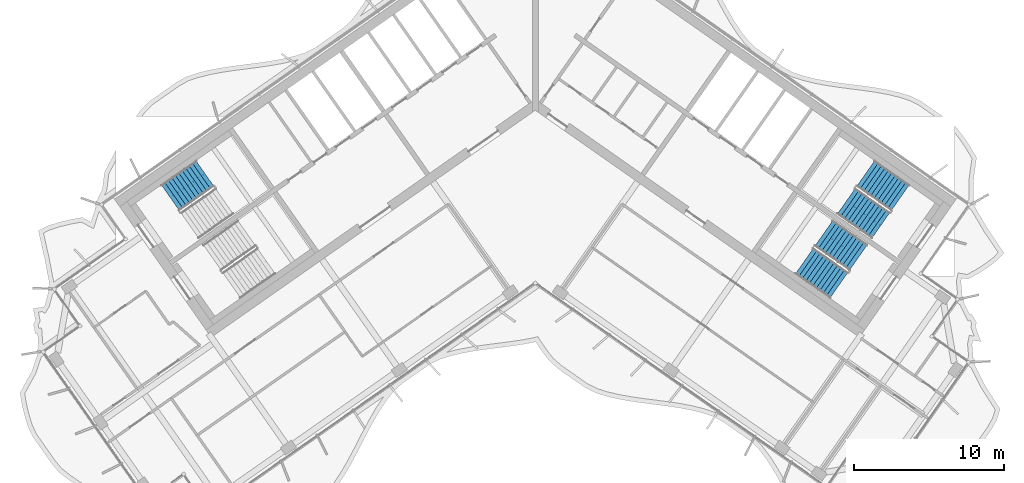
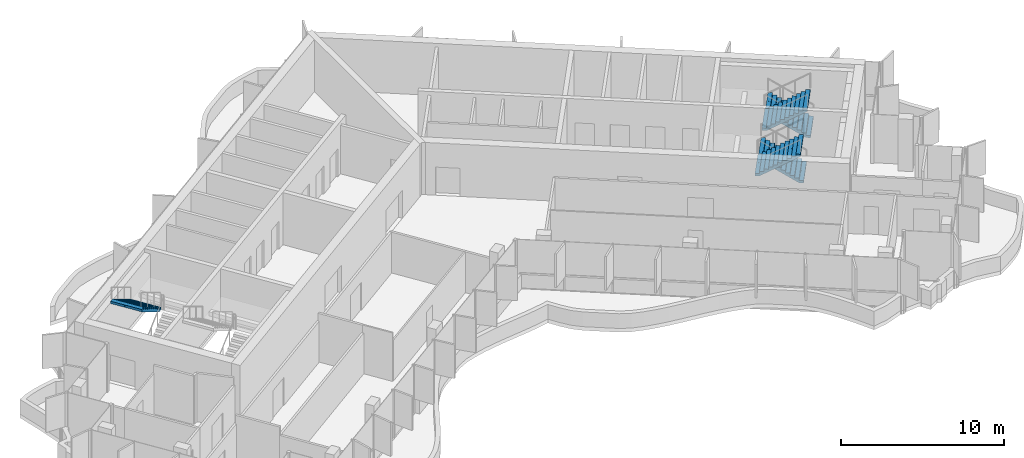
# One storey, part 12 of 17: 5 stair flights, 3 elements without a shape of their own.
"""IFC4 building model written with IfcOpenShell, lengths in metres."""

from ifc_helpers import new_model, si_unit, direction, frame, origin, place, context, subcontext, project, spatial, polyline, outline, extrude, material, type_object, element, aggregate, save


model = new_model("IFC4")

# Units and contexts
model_context = context("Model", 3, precision=1e-05, world=origin(), true_north=direction((0.0, 1.0)))
body_context = subcontext(model_context, "Body", "Model", "MODEL_VIEW")
ifc_project = project(units=[si_unit("LENGTHUNIT", "METRE"), si_unit("AREAUNIT", "SQUARE_METRE"), si_unit("VOLUMEUNIT", "CUBIC_METRE"), si_unit("PLANEANGLEUNIT", "RADIAN"), si_unit("MASSUNIT", "GRAM", prefix="KILO")], contexts=[model_context])

# Site, building, storey
site_placement = place(None, origin())
site = spatial("IfcSite", under=ifc_project, at=site_placement, CompositionType="ELEMENT")
building_placement = place(site_placement, origin())
building = spatial("IfcBuilding", under=site, at=building_placement, Name="Tel Ilan Convention Tower", CompositionType="ELEMENT")
storey_placement = place(building_placement, frame((0.0, 0.0, 287.800048828125)))
storey = spatial("IfcBuildingStorey", under=building, at=storey_placement, Name="L68", CompositionType="ELEMENT", Elevation=287.800048828125)

# Stair, stair flight
ifc_material_1 = material(Name="Concrete C40/50", Category="concrete")
stair_type = type_object("IfcStairType", Name="Pressurised Exit Stair 22 risers 177 mm", PredefinedType="HALF_TURN_STAIR", material=ifc_material_1)
stair_1_placement = place(storey_placement, origin())
stair_1 = element("IfcStair", 1, at=stair_1_placement, inside=storey, type_object=stair_type, Name="L68 Pressurised Stair S1", PredefinedType="HALF_TURN_STAIR")
ifc_material_2 = material(Name="Precast Concrete C40/50", Category="concrete")
stair_flight_type = type_object("IfcStairFlightType", Name="Concrete Stair Flight 2100 mm 22 risers 177 mm", PredefinedType="STRAIGHT", material=ifc_material_2)
stair_flight_1_placement = place(storey_placement, frame((-21.958740234375, -5.42626953125, 1.949951171875), z_axis=(0.0, 0.0, 1.0), x_axis=(-0.819152044289, -0.573576436351, 0.0)))
stair_flight_1 = element("IfcStairFlight", 2, at=stair_flight_1_placement, type_object=stair_flight_type, Name="S1 flight 2", NumberOfRisers=11, NumberOfTreads=10, PredefinedType="STRAIGHT", RiserHeight=0.177272727, TreadLength=0.28, context=body_context, shape_type="SweptSolid", body=[
    extrude(outline(polyline([(0.0, 0.0), (0.0, 0.17724609375), (0.280029296875, 0.17724609375), (0.280029296875, 0.3544921875), (0.56005859375, 0.3544921875), (0.56005859375, 0.53173828125), (0.840087890625, 0.53173828125), (0.840087890625, 0.708984375), (1.1201171875, 0.708984375), (1.1201171875, 0.886474609375), (1.39990234375, 0.886474609375), (1.39990234375, 1.063720703125), (1.679931640625, 1.063720703125), (1.679931640625, 1.240966796875), (1.9599609375, 1.240966796875), (1.9599609375, 1.418212890625), (2.239990234375, 1.418212890625), (2.239990234375, 1.595458984375), (2.52001953125, 1.595458984375), (2.52001953125, 1.772705078125), (2.800048828125, 1.772705078125), (2.800048828125, 1.949951171875), (2.800048828125, 1.59521484375), (0.2802734375, 0.0), (0.0, 0.0)])), frame((0.0, -0.100341796875, 0.0), z_axis=(0.0, -1.0, 0.0), x_axis=(1.0, 0.0, 0.0)), (0.0, 0.0, 1.0), 0.94970703125),
    extrude(outline(polyline([(0.0, 0.0), (0.0, 0.17724609375), (0.280029296875, 0.17724609375), (0.280029296875, 0.3544921875), (0.56005859375, 0.3544921875), (0.56005859375, 0.53173828125), (0.840087890625, 0.53173828125), (0.840087890625, 0.708984375), (1.1201171875, 0.708984375), (1.1201171875, 0.886474609375), (1.39990234375, 0.886474609375), (1.39990234375, 1.063720703125), (1.679931640625, 1.063720703125), (1.679931640625, 1.240966796875), (1.9599609375, 1.240966796875), (1.9599609375, 1.418212890625), (2.239990234375, 1.418212890625), (2.239990234375, 1.595458984375), (2.52001953125, 1.595458984375), (2.52001953125, 1.772705078125), (2.800048828125, 1.772705078125), (2.800048828125, 1.949951171875), (2.800048828125, 1.59521484375), (0.2802734375, 0.0), (0.0, 0.0)])), frame((0.0, -0.000244140625, 0.0), z_axis=(0.0, -1.0, 0.0), x_axis=(1.0, 0.0, 0.0)), (0.0, 0.0, 1.0), 0.099609375),
    extrude(outline(polyline([(0.0, 0.0), (0.0, 0.17724609375), (0.280029296875, 0.17724609375), (0.280029296875, 0.3544921875), (0.56005859375, 0.3544921875), (0.56005859375, 0.53173828125), (0.840087890625, 0.53173828125), (0.840087890625, 0.708984375), (1.1201171875, 0.708984375), (1.1201171875, 0.886474609375), (1.39990234375, 0.886474609375), (1.39990234375, 1.063720703125), (1.679931640625, 1.063720703125), (1.679931640625, 1.240966796875), (1.9599609375, 1.240966796875), (1.9599609375, 1.418212890625), (2.239990234375, 1.418212890625), (2.239990234375, 1.595458984375), (2.52001953125, 1.595458984375), (2.52001953125, 1.772705078125), (2.800048828125, 1.772705078125), (2.800048828125, 1.949951171875), (2.800048828125, 1.59521484375), (0.2802734375, 0.0), (0.0, 0.0)])), frame((0.0, 0.099853515625, 0.0), z_axis=(0.0, -1.0, 0.0), x_axis=(1.0, 0.0, 0.0)), (0.0, 0.0, 1.0), 0.099609375),
    extrude(outline(polyline([(0.0, 0.0), (0.0, 0.17724609375), (0.280029296875, 0.17724609375), (0.280029296875, 0.3544921875), (0.56005859375, 0.3544921875), (0.56005859375, 0.53173828125), (0.840087890625, 0.53173828125), (0.840087890625, 0.708984375), (1.1201171875, 0.708984375), (1.1201171875, 0.886474609375), (1.39990234375, 0.886474609375), (1.39990234375, 1.063720703125), (1.679931640625, 1.063720703125), (1.679931640625, 1.240966796875), (1.9599609375, 1.240966796875), (1.9599609375, 1.418212890625), (2.239990234375, 1.418212890625), (2.239990234375, 1.595458984375), (2.52001953125, 1.595458984375), (2.52001953125, 1.772705078125), (2.800048828125, 1.772705078125), (2.800048828125, 1.949951171875), (2.800048828125, 1.59521484375), (0.2802734375, 0.0), (0.0, 0.0)])), frame((0.0, 1.050048828125, 0.0), z_axis=(0.0, -1.0, 0.0), x_axis=(1.0, 0.0, 0.0)), (0.0, 0.0, 1.0), 0.94970703125),
])
aggregate(stair_1, [stair_flight_1])

# Stair, stair flights
stair_2_placement = place(storey_placement, origin())
stair_2 = element("IfcStair", 3, at=stair_2_placement, inside=storey, type_object=stair_type, Name="L68 Pressurised Stair S3", PredefinedType="HALF_TURN_STAIR")
stair_flight_2_placement = place(storey_placement, frame((24.25244140625, -7.032470703125, 0.0), z_axis=(0.0, 0.0, 1.0), x_axis=(-0.819152044289, 0.573576436351, 0.0)))
stair_flight_2 = element("IfcStairFlight", 4, at=stair_flight_2_placement, type_object=stair_flight_type, Name="S3 flight 1", NumberOfRisers=11, NumberOfTreads=10, PredefinedType="STRAIGHT", RiserHeight=0.177272727, TreadLength=0.28, context=body_context, shape_type="SweptSolid", body=[
    extrude(outline(polyline([(0.0, 0.0), (0.0, 0.17724609375), (0.280029296875, 0.17724609375), (0.280029296875, 0.3544921875), (0.56005859375, 0.3544921875), (0.56005859375, 0.53173828125), (0.840087890625, 0.53173828125), (0.840087890625, 0.708984375), (1.1201171875, 0.708984375), (1.1201171875, 0.886474609375), (1.39990234375, 0.886474609375), (1.39990234375, 1.063720703125), (1.679931640625, 1.063720703125), (1.679931640625, 1.240966796875), (1.9599609375, 1.240966796875), (1.9599609375, 1.418212890625), (2.239990234375, 1.418212890625), (2.239990234375, 1.595458984375), (2.52001953125, 1.595458984375), (2.52001953125, 1.772705078125), (2.800048828125, 1.772705078125), (2.800048828125, 1.949951171875), (2.800048828125, 1.59521484375), (0.2802734375, 0.0), (0.0, 0.0)])), frame((0.0, -0.100341796875, 0.0), z_axis=(0.0, -1.0, 0.0), x_axis=(1.0, 0.0, 0.0)), (0.0, 0.0, 1.0), 0.94970703125),
    extrude(outline(polyline([(0.0, 0.0), (0.0, 0.17724609375), (0.280029296875, 0.17724609375), (0.280029296875, 0.3544921875), (0.56005859375, 0.3544921875), (0.56005859375, 0.53173828125), (0.840087890625, 0.53173828125), (0.840087890625, 0.708984375), (1.1201171875, 0.708984375), (1.1201171875, 0.886474609375), (1.39990234375, 0.886474609375), (1.39990234375, 1.063720703125), (1.679931640625, 1.063720703125), (1.679931640625, 1.240966796875), (1.9599609375, 1.240966796875), (1.9599609375, 1.418212890625), (2.239990234375, 1.418212890625), (2.239990234375, 1.595458984375), (2.52001953125, 1.595458984375), (2.52001953125, 1.772705078125), (2.800048828125, 1.772705078125), (2.800048828125, 1.949951171875), (2.800048828125, 1.59521484375), (0.2802734375, 0.0), (0.0, 0.0)])), frame((0.0, -0.000244140625, 0.0), z_axis=(0.0, -1.0, 0.0), x_axis=(1.0, 0.0, 0.0)), (0.0, 0.0, 1.0), 0.099609375),
    extrude(outline(polyline([(0.0, 0.0), (0.0, 0.17724609375), (0.280029296875, 0.17724609375), (0.280029296875, 0.3544921875), (0.56005859375, 0.3544921875), (0.56005859375, 0.53173828125), (0.840087890625, 0.53173828125), (0.840087890625, 0.708984375), (1.1201171875, 0.708984375), (1.1201171875, 0.886474609375), (1.39990234375, 0.886474609375), (1.39990234375, 1.063720703125), (1.679931640625, 1.063720703125), (1.679931640625, 1.240966796875), (1.9599609375, 1.240966796875), (1.9599609375, 1.418212890625), (2.239990234375, 1.418212890625), (2.239990234375, 1.595458984375), (2.52001953125, 1.595458984375), (2.52001953125, 1.772705078125), (2.800048828125, 1.772705078125), (2.800048828125, 1.949951171875), (2.800048828125, 1.59521484375), (0.2802734375, 0.0), (0.0, 0.0)])), frame((0.0, 0.099853515625, 0.0), z_axis=(0.0, -1.0, 0.0), x_axis=(1.0, 0.0, 0.0)), (0.0, 0.0, 1.0), 0.099609375),
    extrude(outline(polyline([(0.0, 0.0), (0.0, 0.17724609375), (0.280029296875, 0.17724609375), (0.280029296875, 0.3544921875), (0.56005859375, 0.3544921875), (0.56005859375, 0.53173828125), (0.840087890625, 0.53173828125), (0.840087890625, 0.708984375), (1.1201171875, 0.708984375), (1.1201171875, 0.886474609375), (1.39990234375, 0.886474609375), (1.39990234375, 1.063720703125), (1.679931640625, 1.063720703125), (1.679931640625, 1.240966796875), (1.9599609375, 1.240966796875), (1.9599609375, 1.418212890625), (2.239990234375, 1.418212890625), (2.239990234375, 1.595458984375), (2.52001953125, 1.595458984375), (2.52001953125, 1.772705078125), (2.800048828125, 1.772705078125), (2.800048828125, 1.949951171875), (2.800048828125, 1.59521484375), (0.2802734375, 0.0), (0.0, 0.0)])), frame((0.0, 1.050048828125, 0.0), z_axis=(0.0, -1.0, 0.0), x_axis=(1.0, 0.0, 0.0)), (0.0, 0.0, 1.0), 0.94970703125),
])
stair_flight_3_placement = place(storey_placement, frame((20.668212890625, -7.26953125, 1.949951171875), z_axis=(0.0, 0.0, 1.0), x_axis=(0.819152044289, -0.573576436351, 0.0)))
stair_flight_3 = element("IfcStairFlight", 5, at=stair_flight_3_placement, type_object=stair_flight_type, Name="S3 flight 2", NumberOfRisers=11, NumberOfTreads=10, PredefinedType="STRAIGHT", RiserHeight=0.177272727, TreadLength=0.28, context=body_context, shape_type="SweptSolid", body=[
    extrude(outline(polyline([(0.0, 0.0), (0.0, 0.17724609375), (0.280029296875, 0.17724609375), (0.280029296875, 0.3544921875), (0.56005859375, 0.3544921875), (0.56005859375, 0.53173828125), (0.840087890625, 0.53173828125), (0.840087890625, 0.708984375), (1.1201171875, 0.708984375), (1.1201171875, 0.886474609375), (1.39990234375, 0.886474609375), (1.39990234375, 1.063720703125), (1.679931640625, 1.063720703125), (1.679931640625, 1.240966796875), (1.9599609375, 1.240966796875), (1.9599609375, 1.418212890625), (2.239990234375, 1.418212890625), (2.239990234375, 1.595458984375), (2.52001953125, 1.595458984375), (2.52001953125, 1.772705078125), (2.800048828125, 1.772705078125), (2.800048828125, 1.949951171875), (2.800048828125, 1.59521484375), (0.2802734375, 0.0), (0.0, 0.0)])), frame((0.0, -0.100341796875, 0.0), z_axis=(0.0, -1.0, 0.0), x_axis=(1.0, 0.0, 0.0)), (0.0, 0.0, 1.0), 0.94970703125),
    extrude(outline(polyline([(0.0, 0.0), (0.0, 0.17724609375), (0.280029296875, 0.17724609375), (0.280029296875, 0.3544921875), (0.56005859375, 0.3544921875), (0.56005859375, 0.53173828125), (0.840087890625, 0.53173828125), (0.840087890625, 0.708984375), (1.1201171875, 0.708984375), (1.1201171875, 0.886474609375), (1.39990234375, 0.886474609375), (1.39990234375, 1.063720703125), (1.679931640625, 1.063720703125), (1.679931640625, 1.240966796875), (1.9599609375, 1.240966796875), (1.9599609375, 1.418212890625), (2.239990234375, 1.418212890625), (2.239990234375, 1.595458984375), (2.52001953125, 1.595458984375), (2.52001953125, 1.772705078125), (2.800048828125, 1.772705078125), (2.800048828125, 1.949951171875), (2.800048828125, 1.59521484375), (0.2802734375, 0.0), (0.0, 0.0)])), frame((0.0, -0.000244140625, 0.0), z_axis=(0.0, -1.0, 0.0), x_axis=(1.0, 0.0, 0.0)), (0.0, 0.0, 1.0), 0.099609375),
    extrude(outline(polyline([(0.0, 0.0), (0.0, 0.17724609375), (0.280029296875, 0.17724609375), (0.280029296875, 0.3544921875), (0.56005859375, 0.3544921875), (0.56005859375, 0.53173828125), (0.840087890625, 0.53173828125), (0.840087890625, 0.708984375), (1.1201171875, 0.708984375), (1.1201171875, 0.886474609375), (1.39990234375, 0.886474609375), (1.39990234375, 1.063720703125), (1.679931640625, 1.063720703125), (1.679931640625, 1.240966796875), (1.9599609375, 1.240966796875), (1.9599609375, 1.418212890625), (2.239990234375, 1.418212890625), (2.239990234375, 1.595458984375), (2.52001953125, 1.595458984375), (2.52001953125, 1.772705078125), (2.800048828125, 1.772705078125), (2.800048828125, 1.949951171875), (2.800048828125, 1.59521484375), (0.2802734375, 0.0), (0.0, 0.0)])), frame((0.0, 0.099853515625, 0.0), z_axis=(0.0, -1.0, 0.0), x_axis=(1.0, 0.0, 0.0)), (0.0, 0.0, 1.0), 0.099609375),
    extrude(outline(polyline([(0.0, 0.0), (0.0, 0.17724609375), (0.280029296875, 0.17724609375), (0.280029296875, 0.3544921875), (0.56005859375, 0.3544921875), (0.56005859375, 0.53173828125), (0.840087890625, 0.53173828125), (0.840087890625, 0.708984375), (1.1201171875, 0.708984375), (1.1201171875, 0.886474609375), (1.39990234375, 0.886474609375), (1.39990234375, 1.063720703125), (1.679931640625, 1.063720703125), (1.679931640625, 1.240966796875), (1.9599609375, 1.240966796875), (1.9599609375, 1.418212890625), (2.239990234375, 1.418212890625), (2.239990234375, 1.595458984375), (2.52001953125, 1.595458984375), (2.52001953125, 1.772705078125), (2.800048828125, 1.772705078125), (2.800048828125, 1.949951171875), (2.800048828125, 1.59521484375), (0.2802734375, 0.0), (0.0, 0.0)])), frame((0.0, 1.050048828125, 0.0), z_axis=(0.0, -1.0, 0.0), x_axis=(1.0, 0.0, 0.0)), (0.0, 0.0, 1.0), 0.94970703125),
])
aggregate(stair_2, [stair_flight_2, stair_flight_3])

stair_3_placement = place(storey_placement, origin())
stair_3 = element("IfcStair", 6, at=stair_3_placement, inside=storey, type_object=stair_type, Name="L68 Pressurised Stair S4", PredefinedType="HALF_TURN_STAIR")
stair_flight_4_placement = place(storey_placement, frame((21.470458984375, -11.00537109375, 0.0), z_axis=(0.0, 0.0, 1.0), x_axis=(-0.819152044289, 0.573576436351, 0.0)))
stair_flight_4 = element("IfcStairFlight", 7, at=stair_flight_4_placement, type_object=stair_flight_type, Name="S4 flight 1", NumberOfRisers=11, NumberOfTreads=10, PredefinedType="STRAIGHT", RiserHeight=0.177272727, TreadLength=0.28, context=body_context, shape_type="SweptSolid", body=[
    extrude(outline(polyline([(0.0, 0.0), (0.0, 0.17724609375), (0.280029296875, 0.17724609375), (0.280029296875, 0.3544921875), (0.56005859375, 0.3544921875), (0.56005859375, 0.53173828125), (0.840087890625, 0.53173828125), (0.840087890625, 0.708984375), (1.1201171875, 0.708984375), (1.1201171875, 0.886474609375), (1.39990234375, 0.886474609375), (1.39990234375, 1.063720703125), (1.679931640625, 1.063720703125), (1.679931640625, 1.240966796875), (1.9599609375, 1.240966796875), (1.9599609375, 1.418212890625), (2.239990234375, 1.418212890625), (2.239990234375, 1.595458984375), (2.52001953125, 1.595458984375), (2.52001953125, 1.772705078125), (2.800048828125, 1.772705078125), (2.800048828125, 1.949951171875), (2.800048828125, 1.59521484375), (0.2802734375, 0.0), (0.0, 0.0)])), frame((0.0, -0.100341796875, 0.0), z_axis=(0.0, -1.0, 0.0), x_axis=(1.0, 0.0, 0.0)), (0.0, 0.0, 1.0), 0.94970703125),
    extrude(outline(polyline([(0.0, 0.0), (0.0, 0.17724609375), (0.280029296875, 0.17724609375), (0.280029296875, 0.3544921875), (0.56005859375, 0.3544921875), (0.56005859375, 0.53173828125), (0.840087890625, 0.53173828125), (0.840087890625, 0.708984375), (1.1201171875, 0.708984375), (1.1201171875, 0.886474609375), (1.39990234375, 0.886474609375), (1.39990234375, 1.063720703125), (1.679931640625, 1.063720703125), (1.679931640625, 1.240966796875), (1.9599609375, 1.240966796875), (1.9599609375, 1.418212890625), (2.239990234375, 1.418212890625), (2.239990234375, 1.595458984375), (2.52001953125, 1.595458984375), (2.52001953125, 1.772705078125), (2.800048828125, 1.772705078125), (2.800048828125, 1.949951171875), (2.800048828125, 1.59521484375), (0.2802734375, 0.0), (0.0, 0.0)])), frame((0.0, -0.000244140625, 0.0), z_axis=(0.0, -1.0, 0.0), x_axis=(1.0, 0.0, 0.0)), (0.0, 0.0, 1.0), 0.099609375),
    extrude(outline(polyline([(0.0, 0.0), (0.0, 0.17724609375), (0.280029296875, 0.17724609375), (0.280029296875, 0.3544921875), (0.56005859375, 0.3544921875), (0.56005859375, 0.53173828125), (0.840087890625, 0.53173828125), (0.840087890625, 0.708984375), (1.1201171875, 0.708984375), (1.1201171875, 0.886474609375), (1.39990234375, 0.886474609375), (1.39990234375, 1.063720703125), (1.679931640625, 1.063720703125), (1.679931640625, 1.240966796875), (1.9599609375, 1.240966796875), (1.9599609375, 1.418212890625), (2.239990234375, 1.418212890625), (2.239990234375, 1.595458984375), (2.52001953125, 1.595458984375), (2.52001953125, 1.772705078125), (2.800048828125, 1.772705078125), (2.800048828125, 1.949951171875), (2.800048828125, 1.59521484375), (0.2802734375, 0.0), (0.0, 0.0)])), frame((0.0, 0.099853515625, 0.0), z_axis=(0.0, -1.0, 0.0), x_axis=(1.0, 0.0, 0.0)), (0.0, 0.0, 1.0), 0.099609375),
    extrude(outline(polyline([(0.0, 0.0), (0.0, 0.17724609375), (0.280029296875, 0.17724609375), (0.280029296875, 0.3544921875), (0.56005859375, 0.3544921875), (0.56005859375, 0.53173828125), (0.840087890625, 0.53173828125), (0.840087890625, 0.708984375), (1.1201171875, 0.708984375), (1.1201171875, 0.886474609375), (1.39990234375, 0.886474609375), (1.39990234375, 1.063720703125), (1.679931640625, 1.063720703125), (1.679931640625, 1.240966796875), (1.9599609375, 1.240966796875), (1.9599609375, 1.418212890625), (2.239990234375, 1.418212890625), (2.239990234375, 1.595458984375), (2.52001953125, 1.595458984375), (2.52001953125, 1.772705078125), (2.800048828125, 1.772705078125), (2.800048828125, 1.949951171875), (2.800048828125, 1.59521484375), (0.2802734375, 0.0), (0.0, 0.0)])), frame((0.0, 1.050048828125, 0.0), z_axis=(0.0, -1.0, 0.0), x_axis=(1.0, 0.0, 0.0)), (0.0, 0.0, 1.0), 0.94970703125),
])
stair_flight_5_placement = place(storey_placement, frame((17.886474609375, -11.242431640625, 1.949951171875), z_axis=(0.0, 0.0, 1.0), x_axis=(0.819152044289, -0.573576436351, 0.0)))
stair_flight_5 = element("IfcStairFlight", 8, at=stair_flight_5_placement, type_object=stair_flight_type, Name="S4 flight 2", NumberOfRisers=11, NumberOfTreads=10, PredefinedType="STRAIGHT", RiserHeight=0.177272727, TreadLength=0.28, context=body_context, shape_type="SweptSolid", body=[
    extrude(outline(polyline([(0.0, 0.0), (0.0, 0.17724609375), (0.280029296875, 0.17724609375), (0.280029296875, 0.3544921875), (0.56005859375, 0.3544921875), (0.56005859375, 0.53173828125), (0.840087890625, 0.53173828125), (0.840087890625, 0.708984375), (1.1201171875, 0.708984375), (1.1201171875, 0.886474609375), (1.39990234375, 0.886474609375), (1.39990234375, 1.063720703125), (1.679931640625, 1.063720703125), (1.679931640625, 1.240966796875), (1.9599609375, 1.240966796875), (1.9599609375, 1.418212890625), (2.239990234375, 1.418212890625), (2.239990234375, 1.595458984375), (2.52001953125, 1.595458984375), (2.52001953125, 1.772705078125), (2.800048828125, 1.772705078125), (2.800048828125, 1.949951171875), (2.800048828125, 1.59521484375), (0.2802734375, 0.0), (0.0, 0.0)])), frame((0.0, -0.100341796875, 0.0), z_axis=(0.0, -1.0, 0.0), x_axis=(1.0, 0.0, 0.0)), (0.0, 0.0, 1.0), 0.94970703125),
    extrude(outline(polyline([(0.0, 0.0), (0.0, 0.17724609375), (0.280029296875, 0.17724609375), (0.280029296875, 0.3544921875), (0.56005859375, 0.3544921875), (0.56005859375, 0.53173828125), (0.840087890625, 0.53173828125), (0.840087890625, 0.708984375), (1.1201171875, 0.708984375), (1.1201171875, 0.886474609375), (1.39990234375, 0.886474609375), (1.39990234375, 1.063720703125), (1.679931640625, 1.063720703125), (1.679931640625, 1.240966796875), (1.9599609375, 1.240966796875), (1.9599609375, 1.418212890625), (2.239990234375, 1.418212890625), (2.239990234375, 1.595458984375), (2.52001953125, 1.595458984375), (2.52001953125, 1.772705078125), (2.800048828125, 1.772705078125), (2.800048828125, 1.949951171875), (2.800048828125, 1.59521484375), (0.2802734375, 0.0), (0.0, 0.0)])), frame((0.0, -0.000244140625, 0.0), z_axis=(0.0, -1.0, 0.0), x_axis=(1.0, 0.0, 0.0)), (0.0, 0.0, 1.0), 0.099609375),
    extrude(outline(polyline([(0.0, 0.0), (0.0, 0.17724609375), (0.280029296875, 0.17724609375), (0.280029296875, 0.3544921875), (0.56005859375, 0.3544921875), (0.56005859375, 0.53173828125), (0.840087890625, 0.53173828125), (0.840087890625, 0.708984375), (1.1201171875, 0.708984375), (1.1201171875, 0.886474609375), (1.39990234375, 0.886474609375), (1.39990234375, 1.063720703125), (1.679931640625, 1.063720703125), (1.679931640625, 1.240966796875), (1.9599609375, 1.240966796875), (1.9599609375, 1.418212890625), (2.239990234375, 1.418212890625), (2.239990234375, 1.595458984375), (2.52001953125, 1.595458984375), (2.52001953125, 1.772705078125), (2.800048828125, 1.772705078125), (2.800048828125, 1.949951171875), (2.800048828125, 1.59521484375), (0.2802734375, 0.0), (0.0, 0.0)])), frame((0.0, 0.099853515625, 0.0), z_axis=(0.0, -1.0, 0.0), x_axis=(1.0, 0.0, 0.0)), (0.0, 0.0, 1.0), 0.099609375),
    extrude(outline(polyline([(0.0, 0.0), (0.0, 0.17724609375), (0.280029296875, 0.17724609375), (0.280029296875, 0.3544921875), (0.56005859375, 0.3544921875), (0.56005859375, 0.53173828125), (0.840087890625, 0.53173828125), (0.840087890625, 0.708984375), (1.1201171875, 0.708984375), (1.1201171875, 0.886474609375), (1.39990234375, 0.886474609375), (1.39990234375, 1.063720703125), (1.679931640625, 1.063720703125), (1.679931640625, 1.240966796875), (1.9599609375, 1.240966796875), (1.9599609375, 1.418212890625), (2.239990234375, 1.418212890625), (2.239990234375, 1.595458984375), (2.52001953125, 1.595458984375), (2.52001953125, 1.772705078125), (2.800048828125, 1.772705078125), (2.800048828125, 1.949951171875), (2.800048828125, 1.59521484375), (0.2802734375, 0.0), (0.0, 0.0)])), frame((0.0, 1.050048828125, 0.0), z_axis=(0.0, -1.0, 0.0), x_axis=(1.0, 0.0, 0.0)), (0.0, 0.0, 1.0), 0.94970703125),
])
aggregate(stair_3, [stair_flight_4, stair_flight_5])

save(model, "model.ifc")
